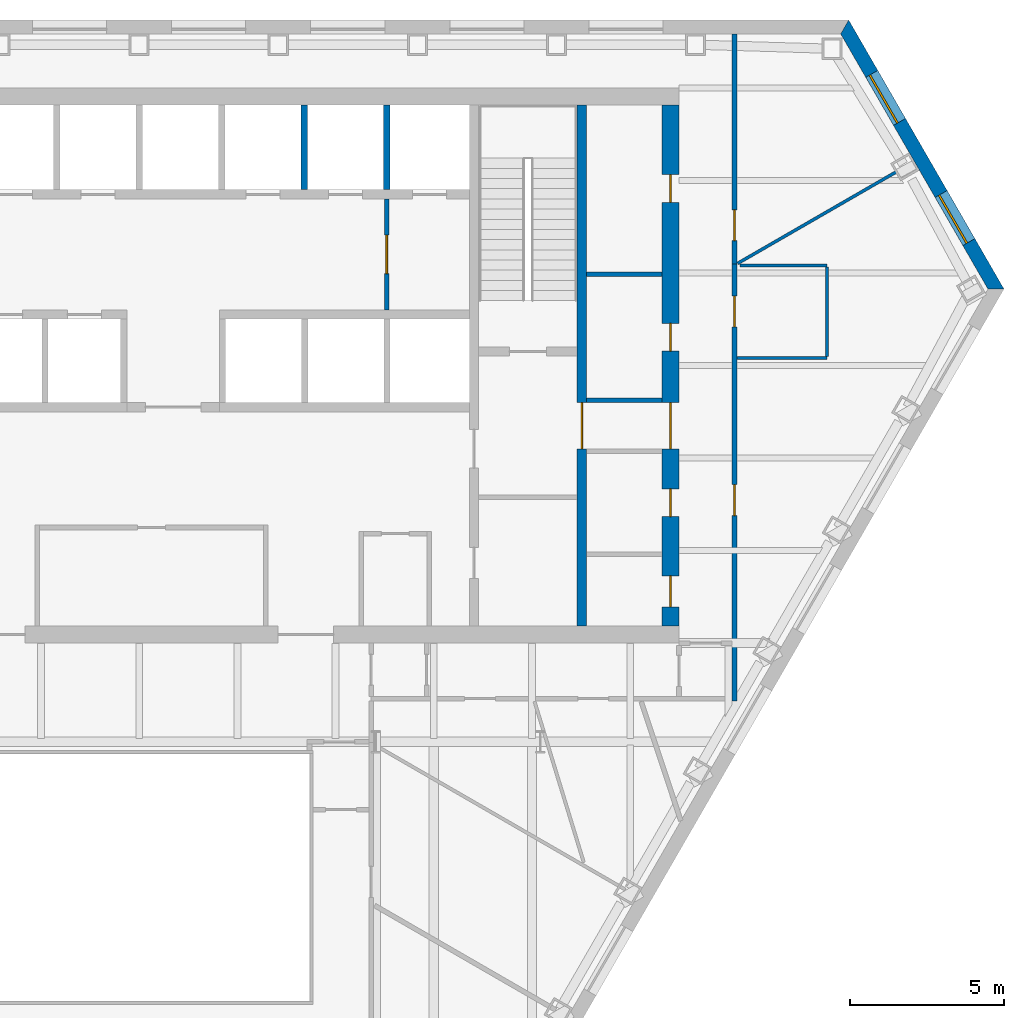
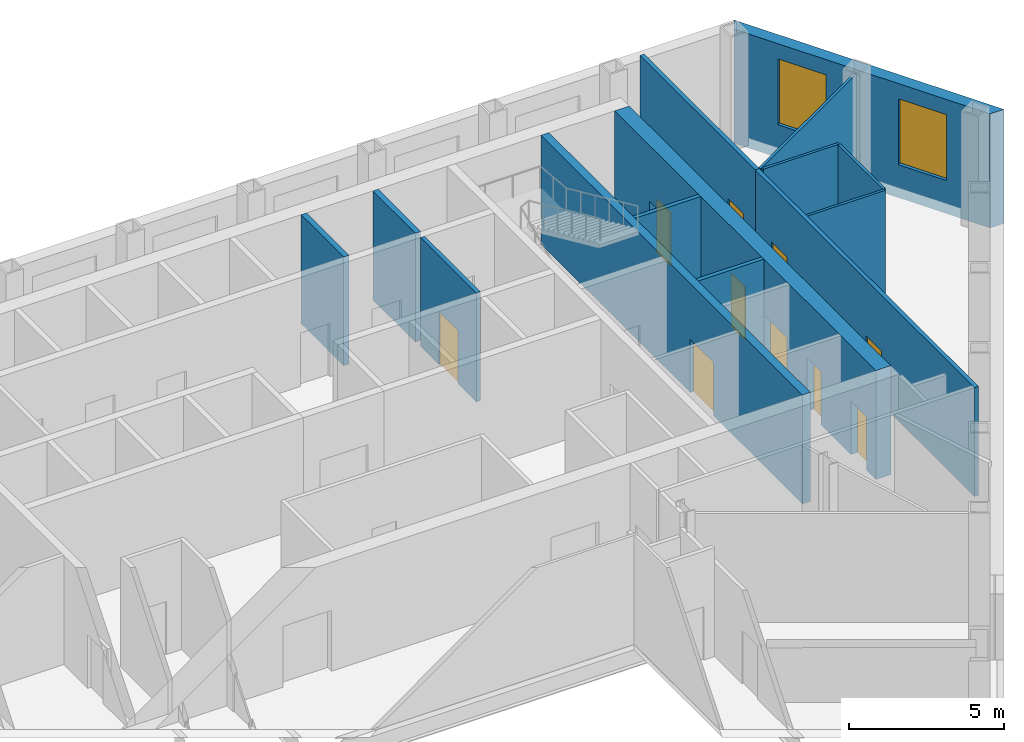
# One storey, part 8 of 11: 14 walls, 10 doors, 2 windows, 12 openings.
"""IFC4 building model written with IfcOpenShell, lengths in metres."""

from ifc_helpers import new_model, si_unit, direction, frame, frame_2d, origin, place, context, subcontext, project, spatial, polyline, rectangle, outline, extrude, material, layer, layer_set, type_object, element, fill, save


model = new_model("IFC4")

# Units and contexts
model_context = context("Model", 3, precision=1e-05, world=origin(), true_north=direction((0.0, 1.0)))
body_context = subcontext(model_context, "Body", "Model", "MODEL_VIEW")
ifc_project = project(units=[si_unit("LENGTHUNIT", "METRE"), si_unit("AREAUNIT", "SQUARE_METRE"), si_unit("VOLUMEUNIT", "CUBIC_METRE"), si_unit("PLANEANGLEUNIT", "RADIAN"), si_unit("MASSUNIT", "GRAM", prefix="KILO")], contexts=[model_context])

# Site, building, storey
site_placement = place(None, origin())
site = spatial("IfcSite", under=ifc_project, at=site_placement, CompositionType="ELEMENT")
building_placement = place(site_placement, origin())
building = spatial("IfcBuilding", under=site, at=building_placement, Name="Njiva Tower", CompositionType="ELEMENT")
storey_placement = place(building_placement, frame((0.0, 0.0, 97.8)))
storey = spatial("IfcBuildingStorey", under=building, at=storey_placement, Name="L20", CompositionType="ELEMENT", Elevation=97.8)

# Wall
ifc_material_1 = material(Name="Blockwork", Category="masonry")
ifc_layer_1 = layer(ifc_material_1, 0.15)
ifc_layer_set_1 = layer_set([ifc_layer_1], Name="Blockwork")
wall_type_1 = type_object("IfcWallType", Name="WT1 Compartment partition 150", PredefinedType="PARTITIONING", material=ifc_layer_set_1)
wall_1_placement = place(storey_placement, frame((14.5, 11.9527, 0.0), z_axis=(0.0, 0.0, 1.0), x_axis=(1.0, 0.0, 0.0)))
element("IfcWall", 1, at=wall_1_placement, inside=storey, type_object=wall_type_1, Name="Partition strip E10", PredefinedType="PARTITIONING", context=body_context, shape_type="SweptSolid", body=[
    extrude(rectangle(XDim=2.45, YDim=0.15, at=frame_2d((1.225, 0.0))), origin(), (0.0, 0.0, 1.0), 4.3),
])

# Wall, opening, door
ifc_material_2 = material(Name="Concrete C40/50", Category="concrete")
ifc_layer_2 = layer(ifc_material_2, 0.3)
ifc_layer_set_2 = layer_set([ifc_layer_2], Name="Concrete C40/50")
wall_type_2 = type_object("IfcWallType", Name="WT10 Stair enclosure wall 300", PredefinedType="SHEAR", material=ifc_layer_set_2)
wall_2_placement = place(storey_placement, frame((14.35, 0.55, 0.0), z_axis=(0.0, 0.0, 1.0), x_axis=(0.0, 1.0, 0.0)))
wall_2 = element("IfcWall", 2, at=wall_2_placement, inside=storey, type_object=wall_type_2, Name="Stair wall east outer", PredefinedType="SHEAR", context=body_context, shape_type="SweptSolid", body=[
    extrude(rectangle(XDim=16.9, YDim=0.3, at=frame_2d((8.45, 0.0))), origin(), (0.0, 0.0, 1.0), 4.3),
])
opening_1_placement = place(wall_2_placement, frame((5.75, 0.0, 0.0)))
opening_1 = element("IfcOpeningElement", 3, at=opening_1_placement, cuts=wall_2, Name="Opening S07-D926", PredefinedType="OPENING", context=body_context, shape_type="SweptSolid", body=[
    extrude(rectangle(XDim=1.5, YDim=2.1, at=frame_2d((0.75, 1.05))), frame((0.0, 0.16, 0.0), z_axis=(0.0, -1.0, 0.0), x_axis=(1.0, 0.0, 0.0)), (0.0, 0.0, 1.0), 0.32),
])
ifc_material_3 = material(Name="Glazed steel fire door", Category="steel")
door_type_1 = type_object("IfcDoorType", Name="D10 Exit door double 1500x2100 glazed", OperationType="DOUBLE_DOOR_SINGLE_SWING", PredefinedType="DOOR", material=ifc_material_3)
door_1_placement = place(opening_1_placement, origin())
door_1 = element("IfcDoor", 4, at=door_1_placement, inside=storey, type_object=door_type_1, Name="Stair B passage door", OperationType="DOUBLE_DOOR_SINGLE_SWING", OverallHeight=2.1, OverallWidth=1.5, PredefinedType="DOOR", context=body_context, shape_type="SweptSolid", body=[
    extrude(rectangle(XDim=1.5, YDim=2.1, at=frame_2d((0.75, 1.05))), frame((0.0, 0.025, 0.0), z_axis=(0.0, -1.0, 0.0), x_axis=(1.0, 0.0, 0.0)), (0.0, 0.0, 1.0), 0.05),
])
fill(opening_1, door_1)

# Wall, openings, doors
ifc_material_4 = material(Name="Concrete C60/75", Category="concrete")
ifc_layer_3 = layer(ifc_material_4, 0.55)
ifc_layer_set_3 = layer_set([ifc_layer_3], Name="Concrete C60/75")
wall_type_3 = type_object("IfcWallType", Name="WT14 Core wall 550", PredefinedType="SHEAR", material=ifc_layer_set_3)
wall_3_placement = place(storey_placement, frame((17.225, 0.55, 0.0), z_axis=(0.0, 0.0, 1.0), x_axis=(0.0, 1.0, 0.0)))
wall_3 = element("IfcWall", 5, at=wall_3_placement, inside=storey, type_object=wall_type_3, Name="Core wall east", PredefinedType="SHEAR", context=body_context, shape_type="SweptSolid", body=[
    extrude(rectangle(XDim=16.9, YDim=0.55, at=frame_2d((8.45, 0.0))), origin(), (0.0, 0.0, 1.0), 4.3),
])
opening_2_placement = place(wall_3_placement, frame((5.75, 0.0, 0.0)))
opening_2 = element("IfcOpeningElement", 6, at=opening_2_placement, cuts=wall_3, Name="Opening S07-D927", PredefinedType="OPENING", context=body_context, shape_type="SweptSolid", body=[
    extrude(rectangle(XDim=1.5, YDim=2.1, at=frame_2d((0.75, 1.05))), frame((0.0, 0.285, 0.0), z_axis=(0.0, -1.0, 0.0), x_axis=(1.0, 0.0, 0.0)), (0.0, 0.0, 1.0), 0.57),
])
opening_3_placement = place(wall_3_placement, frame((0.628, 0.0, 0.0)))
opening_3 = element("IfcOpeningElement", 7, at=opening_3_placement, cuts=wall_3, Name="Opening S07-D928", PredefinedType="OPENING", context=body_context, shape_type="SweptSolid", body=[
    extrude(rectangle(XDim=1.0, YDim=2.1, at=frame_2d((0.5, 1.05))), frame((0.0, 0.285, 0.0), z_axis=(0.0, -1.0, 0.0), x_axis=(1.0, 0.0, 0.0)), (0.0, 0.0, 1.0), 0.57),
])
opening_4_placement = place(wall_3_placement, frame((3.553, 0.0, 0.0)))
opening_4 = element("IfcOpeningElement", 8, at=opening_4_placement, cuts=wall_3, Name="Opening S07-D929", PredefinedType="OPENING", context=body_context, shape_type="SweptSolid", body=[
    extrude(rectangle(XDim=0.9, YDim=2.1, at=frame_2d((0.45, 1.05))), frame((0.0, 0.285, 0.0), z_axis=(0.0, -1.0, 0.0), x_axis=(1.0, 0.0, 0.0)), (0.0, 0.0, 1.0), 0.57),
])
opening_5_placement = place(wall_3_placement, frame((8.9139, 0.0, 0.0)))
opening_5 = element("IfcOpeningElement", 9, at=opening_5_placement, cuts=wall_3, Name="Opening S07-D930", PredefinedType="OPENING", context=body_context, shape_type="SweptSolid", body=[
    extrude(rectangle(XDim=0.9, YDim=2.1, at=frame_2d((0.45, 1.05))), frame((0.0, 0.285, 0.0), z_axis=(0.0, -1.0, 0.0), x_axis=(1.0, 0.0, 0.0)), (0.0, 0.0, 1.0), 0.57),
])
opening_6_placement = place(wall_3_placement, frame((13.7389, 0.0, 0.0)))
opening_6 = element("IfcOpeningElement", 10, at=opening_6_placement, cuts=wall_3, Name="Opening S07-D931", PredefinedType="OPENING", context=body_context, shape_type="SweptSolid", body=[
    extrude(rectangle(XDim=0.9, YDim=2.1, at=frame_2d((0.45, 1.05))), frame((0.0, 0.285, 0.0), z_axis=(0.0, -1.0, 0.0), x_axis=(1.0, 0.0, 0.0)), (0.0, 0.0, 1.0), 0.57),
])
door_2_placement = place(opening_2_placement, origin())
door_2 = element("IfcDoor", 11, at=door_2_placement, inside=storey, type_object=door_type_1, Name="Stair B corridor door", OperationType="DOUBLE_DOOR_SINGLE_SWING", OverallHeight=2.1, OverallWidth=1.5, PredefinedType="DOOR", context=body_context, shape_type="SweptSolid", body=[
    extrude(rectangle(XDim=1.5, YDim=2.1, at=frame_2d((0.75, 1.05))), frame((0.0, 0.025, 0.0), z_axis=(0.0, -1.0, 0.0), x_axis=(1.0, 0.0, 0.0)), (0.0, 0.0, 1.0), 0.05),
])
fill(opening_2, door_2)
ifc_material_5 = material(Name="Steel door, painted", Category="steel")
door_type_2 = type_object("IfcDoorType", Name="D4 Riser door 900x2100", OperationType="SINGLE_SWING_LEFT", PredefinedType="DOOR", material=ifc_material_5)
door_3_placement = place(opening_4_placement, origin())
door_3 = element("IfcDoor", 12, at=door_3_placement, inside=storey, type_object=door_type_2, Name="Riser door", OperationType="SINGLE_SWING_LEFT", OverallHeight=2.1, OverallWidth=0.9, PredefinedType="DOOR", context=body_context, shape_type="SweptSolid", body=[
    extrude(rectangle(XDim=0.9, YDim=2.1, at=frame_2d((0.45, 1.05))), frame((0.0, 0.025, 0.0), z_axis=(0.0, -1.0, 0.0), x_axis=(1.0, 0.0, 0.0)), (0.0, 0.0, 1.0), 0.05),
])
fill(opening_4, door_3)
door_type_3 = type_object("IfcDoorType", Name="D5 Steel door 1000x2100", OperationType="SINGLE_SWING_LEFT", PredefinedType="DOOR", material=ifc_material_5)
door_4_placement = place(opening_3_placement, origin())
door_4 = element("IfcDoor", 13, at=door_4_placement, inside=storey, type_object=door_type_3, Name="Telecoms room door", OperationType="SINGLE_SWING_RIGHT", OverallHeight=2.1, OverallWidth=1.0, PredefinedType="DOOR", context=body_context, shape_type="SweptSolid", body=[
    extrude(rectangle(XDim=1.0, YDim=2.1, at=frame_2d((0.5, 1.05))), frame((0.0, 0.025, 0.0), z_axis=(0.0, -1.0, 0.0), x_axis=(1.0, 0.0, 0.0)), (0.0, 0.0, 1.0), 0.05),
])
fill(opening_3, door_4)
ifc_material_6 = material(Name="Steel fire door, painted", Category="steel")
door_type_4 = type_object("IfcDoorType", Name="D6 Fire-rated door 900x2100", OperationType="SINGLE_SWING_LEFT", PredefinedType="DOOR", material=ifc_material_6)
door_5_placement = place(opening_5_placement, origin())
door_5 = element("IfcDoor", 14, at=door_5_placement, inside=storey, type_object=door_type_4, Name="Quiet room door", OperationType="SINGLE_SWING_LEFT", OverallHeight=2.1, OverallWidth=0.9, PredefinedType="DOOR", context=body_context, shape_type="SweptSolid", body=[
    extrude(rectangle(XDim=0.9, YDim=2.1, at=frame_2d((0.45, 1.05))), frame((0.0, 0.025, 0.0), z_axis=(0.0, -1.0, 0.0), x_axis=(1.0, 0.0, 0.0)), (0.0, 0.0, 1.0), 0.05),
])
fill(opening_5, door_5)
door_6_placement = place(opening_6_placement, origin())
door_6 = element("IfcDoor", 15, at=door_6_placement, inside=storey, type_object=door_type_4, Name="Prayer room door", OperationType="SINGLE_SWING_LEFT", OverallHeight=2.1, OverallWidth=0.9, PredefinedType="DOOR", context=body_context, shape_type="SweptSolid", body=[
    extrude(rectangle(XDim=0.9, YDim=2.1, at=frame_2d((0.45, 1.05))), frame((0.0, 0.025, 0.0), z_axis=(0.0, -1.0, 0.0), x_axis=(1.0, 0.0, 0.0)), (0.0, 0.0, 1.0), 0.05),
])
fill(opening_6, door_6)

# Wall, opening, door
ifc_layer_4 = layer(ifc_material_1, 0.15)
ifc_layer_set_4 = layer_set([ifc_layer_4], Name="Blockwork")
wall_type_4 = type_object("IfcWallType", Name="WT2 Lobby partition 150", PredefinedType="PARTITIONING", material=ifc_layer_set_4)
wall_4_placement = place(storey_placement, frame((8.025, 10.8, 0.0), z_axis=(0.0, 0.0, 1.0), x_axis=(0.0, 1.0, 0.0)))
wall_4 = element("IfcWall", 16, at=wall_4_placement, inside=storey, type_object=wall_type_4, Name="Firefighting lobby wall B", PredefinedType="PARTITIONING", context=body_context, shape_type="SweptSolid", body=[
    extrude(rectangle(XDim=3.6, YDim=0.15, at=frame_2d((1.8, 0.0))), origin(), (0.0, 0.0, 1.0), 4.3),
])
opening_7_placement = place(wall_4_placement, frame((1.175, 0.0, 0.0)))
opening_7 = element("IfcOpeningElement", 17, at=opening_7_placement, cuts=wall_4, Name="Opening S07-D916", PredefinedType="OPENING", context=body_context, shape_type="SweptSolid", body=[
    extrude(rectangle(XDim=1.25, YDim=2.1, at=frame_2d((0.625, 1.05))), frame((0.0, 0.085, 0.0), z_axis=(0.0, -1.0, 0.0), x_axis=(1.0, 0.0, 0.0)), (0.0, 0.0, 1.0), 0.17),
])
door_type_5 = type_object("IfcDoorType", Name="D8 Vestibule corridor door 1250x2100 glazed", OperationType="SINGLE_SWING_LEFT", PredefinedType="DOOR", material=ifc_material_3)
door_7_placement = place(opening_7_placement, origin())
door_7 = element("IfcDoor", 18, at=door_7_placement, inside=storey, type_object=door_type_5, Name="Stair vestibule corridor door", OperationType="SINGLE_SWING_LEFT", OverallHeight=2.1, OverallWidth=1.25, PredefinedType="DOOR", context=body_context, shape_type="SweptSolid", body=[
    extrude(rectangle(XDim=1.25, YDim=2.1, at=frame_2d((0.625, 1.05))), frame((0.0, 0.025, 0.0), z_axis=(0.0, -1.0, 0.0), x_axis=(1.0, 0.0, 0.0)), (0.0, 0.0, 1.0), 0.05),
])
fill(opening_7, door_7)

# Walls
ifc_material_7 = material(Name="Gypsum board on steel studs", Category="gypsum")
ifc_layer_5 = layer(ifc_material_7, 0.1)
ifc_layer_set_5 = layer_set([ifc_layer_5], Name="Gypsum board on steel studs")
wall_type_5 = type_object("IfcWallType", Name="WT20 Gypsum partition 100", PredefinedType="PARTITIONING", material=ifc_layer_set_5)
wall_5_placement = place(storey_placement, frame((19.375, 9.248, 0.0), z_axis=(0.0, 0.0, 1.0), x_axis=(1.0, 0.0, 0.0)))
element("IfcWall", 19, at=wall_5_placement, inside=storey, type_object=wall_type_5, Name="Partition S07-P032", PredefinedType="PARTITIONING", context=body_context, shape_type="SweptSolid", body=[
    extrude(rectangle(XDim=2.925, YDim=0.1, at=frame_2d((1.4625, 0.0))), origin(), (0.0, 0.0, 1.0), 4.3),
])
wall_6_placement = place(storey_placement, frame((19.4, 12.309, 0.0), z_axis=(0.0, 0.0, 1.0), x_axis=(0.866158571006, 0.499769276639, 0.0)))
element("IfcWall", 20, at=wall_6_placement, inside=storey, type_object=wall_type_5, Name="Partition S07-P033", PredefinedType="PARTITIONING", context=body_context, shape_type="SweptSolid", body=[
    extrude(rectangle(XDim=6.1628, YDim=0.1, at=frame_2d((3.0814, 0.0))), origin(), (0.0, 0.0, 1.0), 4.3),
])
wall_7_placement = place(storey_placement, frame((19.482, 12.248, 0.0), z_axis=(0.0, 0.0, 1.0), x_axis=(1.0, 0.0, 0.0)))
element("IfcWall", 21, at=wall_7_placement, inside=storey, type_object=wall_type_5, Name="Partition S07-P034", PredefinedType="PARTITIONING", context=body_context, shape_type="SweptSolid", body=[
    extrude(rectangle(XDim=2.818, YDim=0.1, at=frame_2d((1.409, 0.0))), origin(), (0.0, 0.0, 1.0), 4.3),
])
wall_8_placement = place(storey_placement, frame((22.3, 9.298, 0.0), z_axis=(0.0, 0.0, 1.0), x_axis=(0.0, 1.0, 0.0)))
element("IfcWall", 22, at=wall_8_placement, inside=storey, type_object=wall_type_5, Name="Partition S07-P035", PredefinedType="PARTITIONING", context=body_context, shape_type="SweptSolid", body=[
    extrude(rectangle(XDim=2.9, YDim=0.1, at=frame_2d((1.45, 0.0))), origin(), (0.0, 0.0, 1.0), 4.3),
])

# Wall, openings, doors
ifc_layer_6 = layer(ifc_material_7, 0.15)
ifc_layer_set_6 = layer_set([ifc_layer_6], Name="Gypsum board on steel studs")
wall_type_6 = type_object("IfcWallType", Name="WT21 Compartment wall 150", PredefinedType="PARTITIONING", material=ifc_layer_set_6)
wall_9_placement = place(storey_placement, frame((19.3, -1.875, 0.0), z_axis=(0.0, 0.0, 1.0), x_axis=(0.0, 1.0, 0.0)))
wall_9 = element("IfcWall", 23, at=wall_9_placement, inside=storey, type_object=wall_type_6, Name="Partition S07-P030", PredefinedType="PARTITIONING", context=body_context, shape_type="SweptSolid", body=[
    extrude(rectangle(XDim=14.173, YDim=0.15, at=frame_2d((7.0865, 0.0))), origin(), (0.0, 0.0, 1.0), 4.3),
])
opening_8_placement = place(wall_9_placement, frame((6.011, 0.0, 0.0)))
opening_8 = element("IfcOpeningElement", 24, at=opening_8_placement, cuts=wall_9, Name="Opening S07-D019", PredefinedType="OPENING", context=body_context, shape_type="SweptSolid", body=[
    extrude(rectangle(XDim=1.0, YDim=2.1, at=frame_2d((0.5, 1.05))), frame((0.0, 0.085, 0.0), z_axis=(0.0, -1.0, 0.0), x_axis=(1.0, 0.0, 0.0)), (0.0, 0.0, 1.0), 0.17),
])
opening_9_placement = place(wall_9_placement, frame((12.123, 0.0, 0.0)))
opening_9 = element("IfcOpeningElement", 25, at=opening_9_placement, cuts=wall_9, Name="Opening S07-D020", PredefinedType="OPENING", context=body_context, shape_type="SweptSolid", body=[
    extrude(rectangle(XDim=1.0, YDim=2.1, at=frame_2d((0.5, 1.05))), frame((0.0, 0.085, 0.0), z_axis=(0.0, -1.0, 0.0), x_axis=(1.0, 0.0, 0.0)), (0.0, 0.0, 1.0), 0.17),
])
ifc_material_8 = material(Name="Steel fire door set", Category="steel")
door_type_6 = type_object("IfcDoorType", Name="D37 Fire door 1000x2100", OperationType="SINGLE_SWING_LEFT", PredefinedType="DOOR", material=ifc_material_8)
door_8_placement = place(opening_8_placement, origin())
door_8 = element("IfcDoor", 26, at=door_8_placement, inside=storey, type_object=door_type_6, Name="Door S07-D019", OperationType="SINGLE_SWING_LEFT", OverallHeight=2.1, OverallWidth=1.0, PredefinedType="DOOR", context=body_context, shape_type="SweptSolid", body=[
    extrude(rectangle(XDim=1.0, YDim=2.1, at=frame_2d((0.5, 1.05))), frame((0.0, 0.025, 0.0), z_axis=(0.0, -1.0, 0.0), x_axis=(1.0, 0.0, 0.0)), (0.0, 0.0, 1.0), 0.05),
])
fill(opening_8, door_8)
door_9_placement = place(opening_9_placement, origin())
door_9 = element("IfcDoor", 27, at=door_9_placement, inside=storey, type_object=door_type_6, Name="Door S07-D020", OperationType="SINGLE_SWING_RIGHT", OverallHeight=2.1, OverallWidth=1.0, PredefinedType="DOOR", context=body_context, shape_type="SweptSolid", body=[
    extrude(rectangle(XDim=1.0, YDim=2.1, at=frame_2d((0.5, 1.05))), frame((0.0, 0.025, 0.0), z_axis=(0.0, -1.0, 0.0), x_axis=(1.0, 0.0, 0.0)), (0.0, 0.0, 1.0), 0.05),
])
fill(opening_9, door_9)

# Wall, opening, door
wall_10_placement = place(storey_placement, frame((19.3, 12.298, 0.0), z_axis=(0.0, 0.0, 1.0), x_axis=(0.0, 1.0, 0.0)))
wall_10 = element("IfcWall", 28, at=wall_10_placement, inside=storey, type_object=wall_type_6, Name="Partition S07-P031", PredefinedType="PARTITIONING", context=body_context, shape_type="SweptSolid", body=[
    extrude(rectangle(XDim=7.451, YDim=0.15, at=frame_2d((3.7255, 0.0))), origin(), (0.0, 0.0, 1.0), 4.3),
])
opening_10_placement = place(wall_10_placement, frame((0.75, 0.0, 0.0)))
opening_10 = element("IfcOpeningElement", 29, at=opening_10_placement, cuts=wall_10, Name="Opening S07-D021", PredefinedType="OPENING", context=body_context, shape_type="SweptSolid", body=[
    extrude(rectangle(XDim=1.0, YDim=2.1, at=frame_2d((0.5, 1.05))), frame((0.0, 0.085, 0.0), z_axis=(0.0, -1.0, 0.0), x_axis=(1.0, 0.0, 0.0)), (0.0, 0.0, 1.0), 0.17),
])
door_10_placement = place(opening_10_placement, origin())
door_10 = element("IfcDoor", 30, at=door_10_placement, inside=storey, type_object=door_type_6, Name="Door S07-D021", OperationType="SINGLE_SWING_LEFT", OverallHeight=2.1, OverallWidth=1.0, PredefinedType="DOOR", context=body_context, shape_type="SweptSolid", body=[
    extrude(rectangle(XDim=1.0, YDim=2.1, at=frame_2d((0.5, 1.05))), frame((0.0, 0.025, 0.0), z_axis=(0.0, -1.0, 0.0), x_axis=(1.0, 0.0, 0.0)), (0.0, 0.0, 1.0), 0.05),
])
fill(opening_10, door_10)

# Walls
ifc_layer_7 = layer(ifc_material_1, 0.15)
ifc_layer_set_7 = layer_set([ifc_layer_7], Name="Blockwork")
wall_type_7 = type_object("IfcWallType", Name="WT4 Stair partition 150", PredefinedType="PARTITIONING", material=ifc_layer_set_7)
wall_11_placement = place(storey_placement, frame((14.5, 7.875, 0.0), z_axis=(0.0, 0.0, 1.0), x_axis=(1.0, 0.0, 0.0)))
element("IfcWall", 31, at=wall_11_placement, inside=storey, type_object=wall_type_7, Name="Stair B exit passage wall north", PredefinedType="PARTITIONING", context=body_context, shape_type="SweptSolid", body=[
    extrude(rectangle(XDim=2.45, YDim=0.15, at=frame_2d((1.225, 0.0))), origin(), (0.0, 0.0, 1.0), 4.3),
])
ifc_layer_8 = layer(ifc_material_2, 0.2)
ifc_layer_set_8 = layer_set([ifc_layer_8], Name="Concrete C40/50")
wall_type_8 = type_object("IfcWallType", Name="WT6 Lift shaft wall 200", PredefinedType="SHEAR", material=ifc_layer_set_8)
for number, where, z_axis, x_axis, name in (
    (32, (5.35, 14.7, 0.0), (0.0, 0.0, 1.0), (0.0, 1.0, 0.0), "Shaft wall CN6"),
    (33, (8.025, 14.7, 0.0), (0.0, 0.0, 1.0), (0.0, 1.0, 0.0), "Shaft wall CN7"),
):
    element("IfcWall", number, at=place(storey_placement, frame(where, z_axis=z_axis, x_axis=x_axis)), inside=storey, type_object=wall_type_8, Name=name, PredefinedType="SHEAR", context=body_context, shape_type="SweptSolid", body=[
        extrude(rectangle(XDim=2.75, YDim=0.2, at=frame_2d((1.375, 0.0))), origin(), (0.0, 0.0, 1.0), 4.3),
    ])

# Wall, openings, windows
ifc_material_9 = material(Name="Brick masonry, buff", Category="masonry")
ifc_layer_9 = layer(ifc_material_9, 0.45)
ifc_layer_set_9 = layer_set([ifc_layer_9], Name="Brick masonry, buff")
wall_type_9 = type_object("IfcWallType", Name="WT94 Brick pier and spandrel wall 450, buff", PredefinedType="SOLIDWALL", material=ifc_layer_set_9)
wall_12_placement = place(storey_placement, frame((27.7752, 11.4791, -0.4), z_axis=(0.0, 0.0, 1.0), x_axis=(-0.499999223869, 0.866025851883, 0.0)))
wall_12 = element("IfcWall", 34, at=wall_12_placement, inside=storey, type_object=wall_type_9, Name="Facade wall NE", PredefinedType="SOLIDWALL", context=body_context, shape_type="SweptSolid", body=[
    extrude(outline(polyline([(-0.1299, -0.225), (9.9401, -0.225), (9.6803, 0.225), (0.1299, 0.225), (-0.1299, -0.225)])), origin(), (0.0, 0.0, 1.0), 4.5),
])
opening_11_placement = place(wall_12_placement, frame((1.7569, 0.0, 1.3)))
opening_11 = element("IfcOpeningElement", 35, at=opening_11_placement, cuts=wall_12, Name="Opening S07-W33", PredefinedType="OPENING", context=body_context, shape_type="SweptSolid", body=[
    extrude(rectangle(XDim=1.8, YDim=2.6, at=frame_2d((0.9, 1.3))), frame((0.0, 0.235, 0.0), z_axis=(0.0, -1.0, 0.0), x_axis=(1.0, 0.0, 0.0)), (0.0, 0.0, 1.0), 0.47),
])
opening_12_placement = place(wall_12_placement, frame((6.2532, 0.0, 1.3)))
opening_12 = element("IfcOpeningElement", 36, at=opening_12_placement, cuts=wall_12, Name="Opening S07-W34", PredefinedType="OPENING", context=body_context, shape_type="SweptSolid", body=[
    extrude(rectangle(XDim=1.8, YDim=2.6, at=frame_2d((0.9, 1.3))), frame((0.0, 0.235, 0.0), z_axis=(0.0, -1.0, 0.0), x_axis=(1.0, 0.0, 0.0)), (0.0, 0.0, 1.0), 0.47),
])
ifc_material_10 = material(Name="Clear glazing in aluminium frame", Category="aluminium")
window_type = type_object("IfcWindowType", Name="W96 Deep-set window 1800x2600", PartitioningType="SINGLE_PANEL", PredefinedType="WINDOW", material=ifc_material_10)
window_1_placement = place(opening_11_placement, origin())
window_1 = element("IfcWindow", 37, at=window_1_placement, inside=storey, type_object=window_type, Name="Window", OverallHeight=2.6, OverallWidth=1.8, PartitioningType="SINGLE_PANEL", PredefinedType="WINDOW", context=body_context, shape_type="SweptSolid", body=[
    extrude(rectangle(XDim=1.8, YDim=2.6, at=frame_2d((0.9, 1.3))), frame((0.0, 0.105, 0.0), z_axis=(0.0, -1.0, 0.0), x_axis=(1.0, 0.0, 0.0)), (0.0, 0.0, 1.0), 0.06),
])
fill(opening_11, window_1)
window_2_placement = place(opening_12_placement, origin())
window_2 = element("IfcWindow", 38, at=window_2_placement, inside=storey, type_object=window_type, Name="Window", OverallHeight=2.6, OverallWidth=1.8, PartitioningType="SINGLE_PANEL", PredefinedType="WINDOW", context=body_context, shape_type="SweptSolid", body=[
    extrude(rectangle(XDim=1.8, YDim=2.6, at=frame_2d((0.9, 1.3))), frame((0.0, 0.105, 0.0), z_axis=(0.0, -1.0, 0.0), x_axis=(1.0, 0.0, 0.0)), (0.0, 0.0, 1.0), 0.06),
])
fill(opening_12, window_2)

save(model, "model.ifc")
